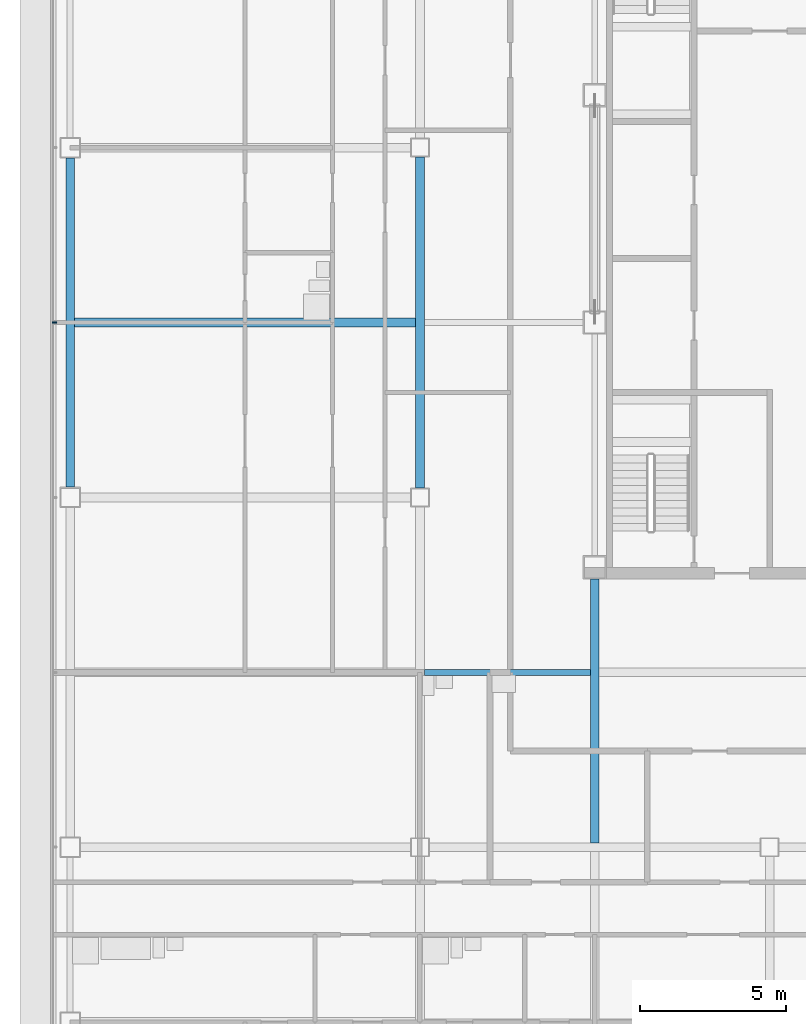
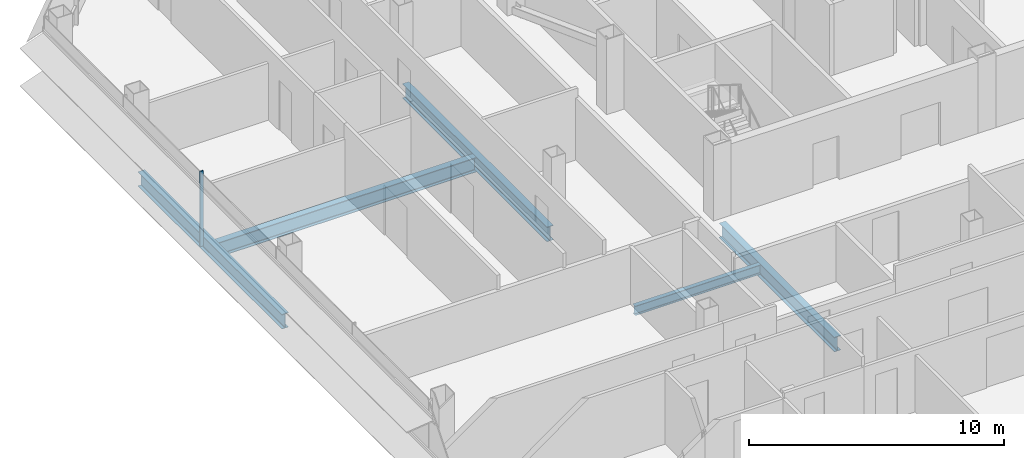
# One storey, part 6 of 27: 5 beams, 1 member, 1 element without a shape of its own.
"""IFC4 building model written with IfcOpenShell, lengths in metres."""

import ifcopenshell
import ifcopenshell.guid

model = None  # the IFC model being written
_history = None  # IfcOwnerHistory: only IFC2X3 demands one
_inside = {}  # id of a spatial element -> (the spatial element, [elements in it])
_under = {}  # id of a project, library or spatial element -> (it, [spatial elements below it])
_declared = {}  # id of a project -> (the project, [libraries it declares])
_typed = {}  # id of a type object -> (the type object, [elements of that type])
_made_of = {}  # id of a material, layer set ... -> (it, [elements and type objects made of it])


def new_model(schema):
    """Start an empty IFC model of exactly this schema.

    Asked for "IFC4X3", IfcOpenShell would pick the latest addendum, in which some entities
    have other attributes; the version numbers below select the first issue.
    IFC2X3 requires an IfcOwnerHistory on every rooted entity: one is made here for all.
    """
    global model, _history
    if schema == "IFC4X3":
        model = ifcopenshell.file(schema_version=(4, 3, 0, 0))
    else:
        model = ifcopenshell.file(schema=schema)
    _inside.clear()
    _under.clear()
    _declared.clear()
    _typed.clear()
    _made_of.clear()
    _history = None
    if model.schema == "IFC2X3":
        org = make("IfcOrganization", Name="unknown")
        user = make(
            "IfcPersonAndOrganization",
            ThePerson=make("IfcPerson", FamilyName="unknown"),
            TheOrganization=org,
        )
        app = make(
            "IfcApplication",
            ApplicationDeveloper=org,
            Version="unknown",
            ApplicationFullName="unknown",
            ApplicationIdentifier="unknown",
        )
        _history = make(
            "IfcOwnerHistory",
            OwningUser=user,
            OwningApplication=app,
            ChangeAction="ADDED",
            CreationDate=0,
        )
    return model


def make(cls, **values):
    """One entity of the class cls with the attributes given. An attribute that is None is left unset."""
    return model.create_entity(
        cls, **{name: value for name, value in values.items() if value is not None}
    )


def rooted(cls, **values):
    """An entity with a GlobalId (a new one), such as an element, a storey or a relation."""
    return make(cls, GlobalId=ifcopenshell.guid.new(), OwnerHistory=_history, **values)


def si_unit(unit_type, name, prefix=None):
    """IfcSIUnit, for example si_unit("LENGTHUNIT", "METRE", prefix="MILLI")."""
    return make("IfcSIUnit", UnitType=unit_type, Prefix=prefix, Name=name)


def assignment(units):
    """IfcUnitAssignment: the units of a project."""
    return None if units is None else make("IfcUnitAssignment", Units=units)


def point(xyz):
    """IfcCartesianPoint."""
    return None if xyz is None else make("IfcCartesianPoint", Coordinates=xyz)


def direction(xyz):
    """IfcDirection."""
    return None if xyz is None else make("IfcDirection", DirectionRatios=xyz)


def frame(location, z_axis=None, x_axis=None):
    """IfcAxis2Placement3D, a coordinate frame: its origin and axes. An axis left out is left unset."""
    return make(
        "IfcAxis2Placement3D",
        Location=point(location),
        Axis=direction(z_axis),
        RefDirection=direction(x_axis),
    )


def frame_2d(location, x_axis=None):
    """IfcAxis2Placement2D, a coordinate frame in the plane: its origin and x axis."""
    return make(
        "IfcAxis2Placement2D", Location=point(location), RefDirection=direction(x_axis)
    )


def origin():
    """The frame at (0, 0, 0) with its axes left unset."""
    return frame((0.0, 0.0, 0.0))


def origin_2d():
    """The frame at (0, 0) in the plane with its x axis left unset."""
    return frame_2d((0.0, 0.0))


def place(relative_to, where):
    """IfcLocalPlacement: puts the frame where relative to a parent placement (None: the world)."""
    return make(
        "IfcLocalPlacement", PlacementRelTo=relative_to, RelativePlacement=where
    )


def context(
    kind, dimensions, precision=None, world=None, true_north=None, identifier=None
):
    """IfcGeometricRepresentationContext, for example the 3D "Model" context."""
    return make(
        "IfcGeometricRepresentationContext",
        ContextIdentifier=identifier,
        ContextType=kind,
        CoordinateSpaceDimension=dimensions,
        Precision=precision,
        WorldCoordinateSystem=world,
        TrueNorth=true_north,
    )


def subcontext(parent, identifier, kind, view, scale=None):
    """IfcGeometricRepresentationSubContext, for example "Body" below "Model"."""
    return make(
        "IfcGeometricRepresentationSubContext",
        ContextIdentifier=identifier,
        ContextType=kind,
        ParentContext=parent,
        TargetScale=scale,
        TargetView=view,
    )


def project(units=None, contexts=None):
    """IfcProject with its units and contexts."""
    return rooted(
        "IfcProject",
        Name="project",
        RepresentationContexts=contexts,
        UnitsInContext=assignment(units),
    )


def spatial(cls, under=None, at=None, **own):
    """A site, building, storey or space (cls), placed at a placement, below another one or the project."""
    s = rooted(cls, ObjectPlacement=at, **own)
    if under is not None:
        _under.setdefault(under.id(), (under, []))[1].append(s)
    return s


def profile(cls, at=None, kind="AREA", **sizes):
    """A parametric profile (cls). Its sizes go by their IFC names, for example OverallWidth=200.0."""
    return make(cls, ProfileType=kind, Position=at, **sizes)


def rectangle(**sizes):
    """IfcRectangleProfileDef."""
    return profile("IfcRectangleProfileDef", **sizes)


def i_section(**sizes):
    """IfcIShapeProfileDef."""
    return profile("IfcIShapeProfileDef", **sizes)


def extrude(swept, where, along, depth):
    """IfcExtrudedAreaSolid: the profile swept, set in the frame where, extruded along a direction by depth."""
    return make(
        "IfcExtrudedAreaSolid",
        SweptArea=swept,
        Position=where,
        ExtrudedDirection=direction(along),
        Depth=depth,
    )


def shape(context_of_items, identifier, shape_type, items):
    """IfcShapeRepresentation: the items that make up one representation, for example the "Body"."""
    return make(
        "IfcShapeRepresentation",
        ContextOfItems=context_of_items,
        RepresentationIdentifier=identifier,
        RepresentationType=shape_type,
        Items=items,
    )


def material(Name=None, Category=None):
    """IfcMaterial."""
    return make("IfcMaterial", Name=Name, Category=Category)


def material_profile(
    of_material, cross_section, Name=None, Category=None, Priority=None
):
    """IfcMaterialProfile: a cross section and its material."""
    return make(
        "IfcMaterialProfile",
        Name=Name,
        Material=of_material,
        Profile=cross_section,
        Priority=Priority,
        Category=Category,
    )


def profile_set(profiles, Name=None, composite=None):
    """IfcMaterialProfileSet."""
    return make(
        "IfcMaterialProfileSet",
        Name=Name,
        MaterialProfiles=profiles,
        CompositeProfile=composite,
    )


def made_of(thing, what):
    """Note that an element or type object is made of a material, layer set ...; save() writes the relation."""
    if what is not None:
        _made_of.setdefault(what.id(), (what, []))[1].append(thing)
    return thing


def type_object(cls, material=None, **own):
    """A type object (cls), such as IfcWallType, which elements share."""
    return made_of(rooted(cls, **own), material)


def element(
    cls,
    number,
    at=None,
    inside=None,
    cuts=None,
    type_object=None,
    material=None,
    context=None,
    identifier="Body",
    shape_type=None,
    held_by="IfcProductDefinitionShape",
    body=None,
    shapes=None,
    **own,
):
    """One element of the class cls, such as IfcWall. Its Tag is "e" and its number.

    at: its placement. inside: the storey or other place that contains it. cuts: it is an
    opening in that element (IfcRelVoidsElement). A single representation is given by context,
    identifier, shape_type and body (its items); several are given by shapes. held_by: the class
    of the entity that holds the representations. save() writes the other relations.
    """
    e = rooted(cls, Tag="e%d" % number, ObjectPlacement=at, **own)
    if body is not None:
        shapes = [shape(context, identifier, shape_type, body)]
    if shapes is not None:
        e.Representation = make(held_by, Representations=shapes)
    if inside is not None:
        _inside.setdefault(inside.id(), (inside, []))[1].append(e)
    if cuts is not None:
        rooted(
            "IfcRelVoidsElement", RelatingBuildingElement=cuts, RelatedOpeningElement=e
        )
    if type_object is not None:
        _typed.setdefault(type_object.id(), (type_object, []))[1].append(e)
    return made_of(e, material)


def aggregate(whole, parts):
    """IfcRelAggregates: a whole, such as a stair, and the parts it consists of."""
    return rooted("IfcRelAggregates", RelatingObject=whole, RelatedObjects=parts)


def save(model, path):
    """Write the relations noted so far, then the file.

    IfcRelAggregates (storeys below a building ...), IfcRelContainedInSpatialStructure (elements
    in a storey), IfcRelDefinesByType, IfcRelAssociatesMaterial and IfcRelDeclares: one each for
    every whole, place, type object, material and project.
    """
    for whole, parts in _under.values():
        aggregate(whole, parts)
    for where, things in _inside.values():
        rooted(
            "IfcRelContainedInSpatialStructure",
            RelatedElements=things,
            RelatingStructure=where,
        )
    for kind, things in _typed.values():
        rooted("IfcRelDefinesByType", RelatedObjects=things, RelatingType=kind)
    for what, things in _made_of.values():
        rooted("IfcRelAssociatesMaterial", RelatedObjects=things, RelatingMaterial=what)
    for by, libraries in _declared.values():
        rooted("IfcRelDeclares", RelatingContext=by, RelatedDefinitions=libraries)
    model.write(path)


model = new_model("IFC4")

# Units and contexts
model_context = context("Model", 3, precision=1e-05, world=origin(), true_north=direction((0.0, 1.0)))
body_context = subcontext(model_context, "Body", "Model", "MODEL_VIEW")
ifc_project = project(units=[si_unit("LENGTHUNIT", "METRE"), si_unit("AREAUNIT", "SQUARE_METRE"), si_unit("VOLUMEUNIT", "CUBIC_METRE"), si_unit("PLANEANGLEUNIT", "RADIAN"), si_unit("MASSUNIT", "GRAM", prefix="KILO")], contexts=[model_context])

# Site, building, storey
site_placement = place(None, origin())
site = spatial("IfcSite", under=ifc_project, at=site_placement, CompositionType="ELEMENT")
building_placement = place(site_placement, origin())
building = spatial("IfcBuilding", under=site, at=building_placement, Name="Sorahane Residences", CompositionType="ELEMENT")
storey_placement = place(building_placement, frame((0.0, 0.0, 195.60009765625)))
storey = spatial("IfcBuildingStorey", under=building, at=storey_placement, Name="L45", CompositionType="ELEMENT", Elevation=195.60009765625)

# Curtain wall, member
ifc_material_1 = material(Name="Dark low-e glass and black anodised aluminium", Category="aluminium")
curtain_wall_type = type_object("IfcCurtainWallType", Name="Curtain wall CW-1 Typical unitised wall", PredefinedType="NOTDEFINED", material=ifc_material_1)
curtain_wall_placement = place(storey_placement, origin())
curtain_wall = element("IfcCurtainWall", 1, at=curtain_wall_placement, inside=storey, type_object=curtain_wall_type, Name="CW-1 curtain wall L45 W1", PredefinedType="NOTDEFINED")
ifc_material_2 = material(Name="Black anodised aluminium", Category="aluminium")
ifc_material_profile_1 = material_profile(ifc_material_2, rectangle(XDim=0.159912109375, YDim=0.050048828125, at=origin_2d()), Name="Curtain wall mullion CW-1 black anodised aluminium 50x160")
ifc_profile_set_1 = profile_set([ifc_material_profile_1], Name="Black anodised aluminium")
member_type = type_object("IfcMemberType", Name="Curtain wall mullion CW-1 black anodised aluminium 50x160", PredefinedType="MULLION", material=ifc_profile_set_1)
member_placement = place(storey_placement, frame((-12.5400390625, 30.0, -0.18017578125), z_axis=(0.0, 0.0, 1.0), x_axis=(-1.0, 0.0, 0.0)))
member = element("IfcMember", 2, at=member_placement, type_object=member_type, Name="CW-1 mullion L45 W1.3", PredefinedType="MULLION", context=body_context, shape_type="SweptSolid", body=[
    extrude(rectangle(XDim=0.159912109375, YDim=0.050048828125, at=origin_2d()), origin(), (0.0, 0.0, 1.0), 3.60009765625),
])
aggregate(curtain_wall, [member])

# Beams
ifc_material_3 = material(Name="Steel Q355B", Category="steel")
ifc_material_profile_2 = material_profile(ifc_material_3, i_section(OverallWidth=0.199951171875, OverallDepth=0.449951171875, WebThickness=0.009033203125, FlangeThickness=0.013916015625, FilletRadius=0.02001953125, at=origin_2d()), Name="HN 450x200x9x14")
ifc_profile_set_2 = profile_set([ifc_material_profile_2], Name="Steel Q355B")
beam_type_1 = type_object("IfcBeamType", Name="Steel floor beam HN 450x200x9x14 Q355B", PredefinedType="BEAM", material=ifc_profile_set_2)
beam_1_placement = place(storey_placement, frame((0.14990234375, 18.0, -0.405029296875), z_axis=(1.0, 0.0, 0.0), x_axis=(0.0, 1.0, 0.0)))
element("IfcBeam", 3, at=beam_1_placement, inside=storey, type_object=beam_type_1, Name="Beam L45 079", PredefinedType="BEAM", context=body_context, shape_type="SweptSolid", body=[
    extrude(i_section(OverallWidth=0.199951171875, OverallDepth=0.449951171875, WebThickness=0.009033203125, FlangeThickness=0.013916015625, FilletRadius=0.02001953125, at=origin_2d()), origin(), (0.0, 0.0, 1.0), 5.7001953125),
])
ifc_material_4 = material(Name="Steel Q355B", Category="steel")
ifc_material_profile_3 = material_profile(ifc_material_4, i_section(OverallWidth=0.300048828125, OverallDepth=0.699951171875, WebThickness=0.012939453125, FlangeThickness=0.02392578125, FilletRadius=0.028076171875, at=origin_2d()), Name="HN 700x300x13x24")
ifc_profile_set_3 = profile_set([ifc_material_profile_3], Name="Steel Q355B")
beam_type_2 = type_object("IfcBeamType", Name="Steel floor beam HN 700x300x13x24 Q355B", PredefinedType="BEAM", material=ifc_profile_set_3)
beam_2_placement = place(storey_placement, frame((-12.0, 24.35009765625, -0.530029296875), z_axis=(0.0, 1.0, 0.0), x_axis=(-1.0, 0.0, 0.0)))
element("IfcBeam", 4, at=beam_2_placement, inside=storey, type_object=beam_type_2, Name="Beam L45 022", PredefinedType="BEAM", context=body_context, shape_type="SweptSolid", body=[
    extrude(i_section(OverallWidth=0.300048828125, OverallDepth=0.699951171875, WebThickness=0.012939453125, FlangeThickness=0.02392578125, FilletRadius=0.028076171875, at=origin_2d()), origin(), (0.0, 0.0, 1.0), 11.2998046875),
])
beam_3_placement = place(storey_placement, frame((0.0, 24.324951171875, -0.530029296875), z_axis=(0.0, 1.0, 0.0), x_axis=(-1.0, 0.0, 0.0)))
element("IfcBeam", 5, at=beam_3_placement, inside=storey, type_object=beam_type_2, Name="Beam L45 026", PredefinedType="BEAM", context=body_context, shape_type="SweptSolid", body=[
    extrude(i_section(OverallWidth=0.300048828125, OverallDepth=0.699951171875, WebThickness=0.012939453125, FlangeThickness=0.02392578125, FilletRadius=0.028076171875, at=origin_2d()), origin(), (0.0, 0.0, 1.0), 11.35009765625),
])
beam_4_placement = place(storey_placement, frame((6.0, 12.14990234375, -0.530029296875), z_axis=(0.0, 1.0, 0.0), x_axis=(-1.0, 0.0, 0.0)))
element("IfcBeam", 6, at=beam_4_placement, inside=storey, type_object=beam_type_2, Name="Beam L45 029", PredefinedType="BEAM", context=body_context, shape_type="SweptSolid", body=[
    extrude(i_section(OverallWidth=0.300048828125, OverallDepth=0.699951171875, WebThickness=0.012939453125, FlangeThickness=0.02392578125, FilletRadius=0.028076171875, at=origin_2d()), origin(), (0.0, 0.0, 1.0), 9.050048828125),
])
beam_5_placement = place(storey_placement, frame((-11.85009765625, 30.0, -0.530029296875), z_axis=(1.0, 0.0, 0.0), x_axis=(0.0, 1.0, 0.0)))
element("IfcBeam", 7, at=beam_5_placement, inside=storey, type_object=beam_type_2, Name="Beam L45 085", PredefinedType="BEAM", context=body_context, shape_type="SweptSolid", body=[
    extrude(i_section(OverallWidth=0.300048828125, OverallDepth=0.699951171875, WebThickness=0.012939453125, FlangeThickness=0.02392578125, FilletRadius=0.028076171875, at=origin_2d()), origin(), (0.0, 0.0, 1.0), 11.7001953125),
])

save(model, "model.ifc")
